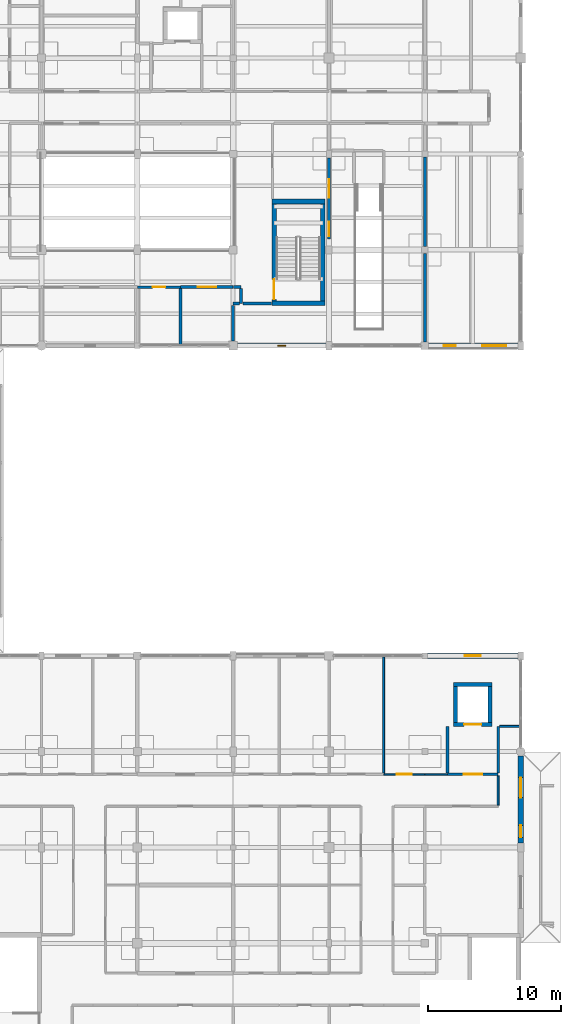
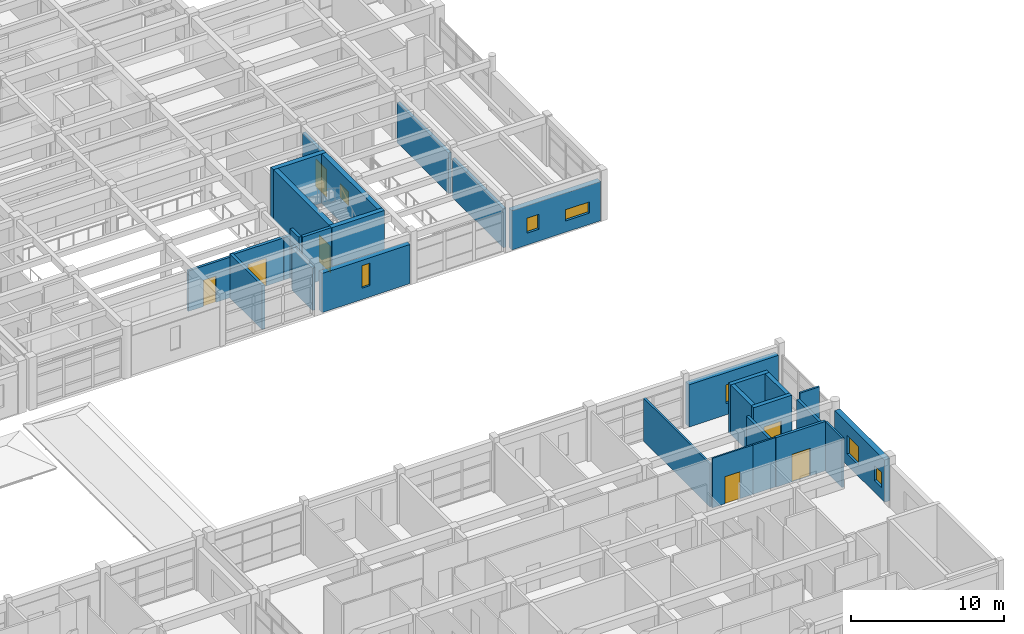
# One storey, part 94 of 110: 31 walls, 7 doors, 7 windows, 14 openings.
"""IFC4 building model written with IfcOpenShell, lengths in metres."""

import ifcopenshell
import ifcopenshell.guid

model = None  # the IFC model being written
_history = None  # IfcOwnerHistory: only IFC2X3 demands one
_inside = {}  # id of a spatial element -> (the spatial element, [elements in it])
_under = {}  # id of a project, library or spatial element -> (it, [spatial elements below it])
_declared = {}  # id of a project -> (the project, [libraries it declares])
_typed = {}  # id of a type object -> (the type object, [elements of that type])
_made_of = {}  # id of a material, layer set ... -> (it, [elements and type objects made of it])


def new_model(schema):
    """Start an empty IFC model of exactly this schema.

    Asked for "IFC4X3", IfcOpenShell would pick the latest addendum, in which some entities
    have other attributes; the version numbers below select the first issue.
    IFC2X3 requires an IfcOwnerHistory on every rooted entity: one is made here for all.
    """
    global model, _history
    if schema == "IFC4X3":
        model = ifcopenshell.file(schema_version=(4, 3, 0, 0))
    else:
        model = ifcopenshell.file(schema=schema)
    _inside.clear()
    _under.clear()
    _declared.clear()
    _typed.clear()
    _made_of.clear()
    _history = None
    if model.schema == "IFC2X3":
        org = make("IfcOrganization", Name="unknown")
        user = make(
            "IfcPersonAndOrganization",
            ThePerson=make("IfcPerson", FamilyName="unknown"),
            TheOrganization=org,
        )
        app = make(
            "IfcApplication",
            ApplicationDeveloper=org,
            Version="unknown",
            ApplicationFullName="unknown",
            ApplicationIdentifier="unknown",
        )
        _history = make(
            "IfcOwnerHistory",
            OwningUser=user,
            OwningApplication=app,
            ChangeAction="ADDED",
            CreationDate=0,
        )
    return model


def make(cls, **values):
    """One entity of the class cls with the attributes given. An attribute that is None is left unset."""
    return model.create_entity(
        cls, **{name: value for name, value in values.items() if value is not None}
    )


def rooted(cls, **values):
    """An entity with a GlobalId (a new one), such as an element, a storey or a relation."""
    return make(cls, GlobalId=ifcopenshell.guid.new(), OwnerHistory=_history, **values)


def si_unit(unit_type, name, prefix=None):
    """IfcSIUnit, for example si_unit("LENGTHUNIT", "METRE", prefix="MILLI")."""
    return make("IfcSIUnit", UnitType=unit_type, Prefix=prefix, Name=name)


def assignment(units):
    """IfcUnitAssignment: the units of a project."""
    return None if units is None else make("IfcUnitAssignment", Units=units)


def point(xyz):
    """IfcCartesianPoint."""
    return None if xyz is None else make("IfcCartesianPoint", Coordinates=xyz)


def direction(xyz):
    """IfcDirection."""
    return None if xyz is None else make("IfcDirection", DirectionRatios=xyz)


def frame(location, z_axis=None, x_axis=None):
    """IfcAxis2Placement3D, a coordinate frame: its origin and axes. An axis left out is left unset."""
    return make(
        "IfcAxis2Placement3D",
        Location=point(location),
        Axis=direction(z_axis),
        RefDirection=direction(x_axis),
    )


def frame_2d(location, x_axis=None):
    """IfcAxis2Placement2D, a coordinate frame in the plane: its origin and x axis."""
    return make(
        "IfcAxis2Placement2D", Location=point(location), RefDirection=direction(x_axis)
    )


def origin():
    """The frame at (0, 0, 0) with its axes left unset."""
    return frame((0.0, 0.0, 0.0))


def place(relative_to, where):
    """IfcLocalPlacement: puts the frame where relative to a parent placement (None: the world)."""
    return make(
        "IfcLocalPlacement", PlacementRelTo=relative_to, RelativePlacement=where
    )


def context(
    kind, dimensions, precision=None, world=None, true_north=None, identifier=None
):
    """IfcGeometricRepresentationContext, for example the 3D "Model" context."""
    return make(
        "IfcGeometricRepresentationContext",
        ContextIdentifier=identifier,
        ContextType=kind,
        CoordinateSpaceDimension=dimensions,
        Precision=precision,
        WorldCoordinateSystem=world,
        TrueNorth=true_north,
    )


def subcontext(parent, identifier, kind, view, scale=None):
    """IfcGeometricRepresentationSubContext, for example "Body" below "Model"."""
    return make(
        "IfcGeometricRepresentationSubContext",
        ContextIdentifier=identifier,
        ContextType=kind,
        ParentContext=parent,
        TargetScale=scale,
        TargetView=view,
    )


def project(units=None, contexts=None):
    """IfcProject with its units and contexts."""
    return rooted(
        "IfcProject",
        Name="project",
        RepresentationContexts=contexts,
        UnitsInContext=assignment(units),
    )


def spatial(cls, under=None, at=None, **own):
    """A site, building, storey or space (cls), placed at a placement, below another one or the project."""
    s = rooted(cls, ObjectPlacement=at, **own)
    if under is not None:
        _under.setdefault(under.id(), (under, []))[1].append(s)
    return s


def profile(cls, at=None, kind="AREA", **sizes):
    """A parametric profile (cls). Its sizes go by their IFC names, for example OverallWidth=200.0."""
    return make(cls, ProfileType=kind, Position=at, **sizes)


def rectangle(**sizes):
    """IfcRectangleProfileDef."""
    return profile("IfcRectangleProfileDef", **sizes)


def extrude(swept, where, along, depth):
    """IfcExtrudedAreaSolid: the profile swept, set in the frame where, extruded along a direction by depth."""
    return make(
        "IfcExtrudedAreaSolid",
        SweptArea=swept,
        Position=where,
        ExtrudedDirection=direction(along),
        Depth=depth,
    )


def shape(context_of_items, identifier, shape_type, items):
    """IfcShapeRepresentation: the items that make up one representation, for example the "Body"."""
    return make(
        "IfcShapeRepresentation",
        ContextOfItems=context_of_items,
        RepresentationIdentifier=identifier,
        RepresentationType=shape_type,
        Items=items,
    )


def material(Name=None, Category=None):
    """IfcMaterial."""
    return make("IfcMaterial", Name=Name, Category=Category)


def layer(
    of_material, thickness, ventilated=None, Name=None, Category=None, Priority=None
):
    """IfcMaterialLayer: one layer of a wall or slab, of a material (None: an air gap)."""
    return make(
        "IfcMaterialLayer",
        Material=of_material,
        LayerThickness=thickness,
        IsVentilated=ventilated,
        Name=Name,
        Category=Category,
        Priority=Priority,
    )


def layer_set(layers, Name=None):
    """IfcMaterialLayerSet."""
    return make("IfcMaterialLayerSet", MaterialLayers=layers, LayerSetName=Name)


def made_of(thing, what):
    """Note that an element or type object is made of a material, layer set ...; save() writes the relation."""
    if what is not None:
        _made_of.setdefault(what.id(), (what, []))[1].append(thing)
    return thing


def type_object(cls, material=None, **own):
    """A type object (cls), such as IfcWallType, which elements share."""
    return made_of(rooted(cls, **own), material)


def element(
    cls,
    number,
    at=None,
    inside=None,
    cuts=None,
    type_object=None,
    material=None,
    context=None,
    identifier="Body",
    shape_type=None,
    held_by="IfcProductDefinitionShape",
    body=None,
    shapes=None,
    **own,
):
    """One element of the class cls, such as IfcWall. Its Tag is "e" and its number.

    at: its placement. inside: the storey or other place that contains it. cuts: it is an
    opening in that element (IfcRelVoidsElement). A single representation is given by context,
    identifier, shape_type and body (its items); several are given by shapes. held_by: the class
    of the entity that holds the representations. save() writes the other relations.
    """
    e = rooted(cls, Tag="e%d" % number, ObjectPlacement=at, **own)
    if body is not None:
        shapes = [shape(context, identifier, shape_type, body)]
    if shapes is not None:
        e.Representation = make(held_by, Representations=shapes)
    if inside is not None:
        _inside.setdefault(inside.id(), (inside, []))[1].append(e)
    if cuts is not None:
        rooted(
            "IfcRelVoidsElement", RelatingBuildingElement=cuts, RelatedOpeningElement=e
        )
    if type_object is not None:
        _typed.setdefault(type_object.id(), (type_object, []))[1].append(e)
    return made_of(e, material)


def fill(opening, filler):
    """IfcRelFillsElement: the door or window that sits in an opening."""
    return rooted(
        "IfcRelFillsElement",
        RelatingOpeningElement=opening,
        RelatedBuildingElement=filler,
    )


def aggregate(whole, parts):
    """IfcRelAggregates: a whole, such as a stair, and the parts it consists of."""
    return rooted("IfcRelAggregates", RelatingObject=whole, RelatedObjects=parts)


def save(model, path):
    """Write the relations noted so far, then the file.

    IfcRelAggregates (storeys below a building ...), IfcRelContainedInSpatialStructure (elements
    in a storey), IfcRelDefinesByType, IfcRelAssociatesMaterial and IfcRelDeclares: one each for
    every whole, place, type object, material and project.
    """
    for whole, parts in _under.values():
        aggregate(whole, parts)
    for where, things in _inside.values():
        rooted(
            "IfcRelContainedInSpatialStructure",
            RelatedElements=things,
            RelatingStructure=where,
        )
    for kind, things in _typed.values():
        rooted("IfcRelDefinesByType", RelatedObjects=things, RelatingType=kind)
    for what, things in _made_of.values():
        rooted("IfcRelAssociatesMaterial", RelatedObjects=things, RelatingMaterial=what)
    for by, libraries in _declared.values():
        rooted("IfcRelDeclares", RelatingContext=by, RelatedDefinitions=libraries)
    model.write(path)


model = new_model("IFC4")

# Units and contexts
model_context = context("Model", 3, precision=1e-05, world=origin(), true_north=direction((0.0, 1.0)))
body_context = subcontext(model_context, "Body", "Model", "MODEL_VIEW")
ifc_project = project(units=[si_unit("LENGTHUNIT", "METRE"), si_unit("AREAUNIT", "SQUARE_METRE"), si_unit("VOLUMEUNIT", "CUBIC_METRE"), si_unit("PLANEANGLEUNIT", "RADIAN"), si_unit("MASSUNIT", "GRAM", prefix="KILO")], contexts=[model_context])

# Site, building, storey
site_placement = place(None, origin())
site = spatial("IfcSite", under=ifc_project, at=site_placement, CompositionType="ELEMENT")
building_placement = place(site_placement, origin())
building = spatial("IfcBuilding", under=site, at=building_placement, Name="Steenspoor Specialist Clinic", CompositionType="ELEMENT")
storey_placement = place(building_placement, frame((0.0, 0.0, 4.800048828125)))
storey = spatial("IfcBuildingStorey", under=building, at=storey_placement, Name="L01", CompositionType="ELEMENT", Elevation=4.800048828125)

# Wall, opening, window
ifc_material_1 = material(Name="Extruded clay brick masonry", Category="masonry")
ifc_layer_1 = layer(ifc_material_1, 0.3798828125)
ifc_layer_set_1 = layer_set([ifc_layer_1], Name="Extruded clay brick masonry")
wall_type_1 = type_object("IfcWallType", Name="W-BRICK-380", PredefinedType="USERDEFINED", material=ifc_layer_set_1)
wall_1_placement = place(storey_placement, frame((146.574951171875, 65.14990234375, 0.0), z_axis=(0.0, 0.0, 1.0), x_axis=(-1.0, 0.0, 0.0)))
wall_1 = element("IfcWall", 1, at=wall_1_placement, inside=storey, type_object=wall_type_1, Name="Exterior Brick Wall EW-V6-L01-0313", ObjectType="CAVITY VENEER", PredefinedType="USERDEFINED", context=body_context, shape_type="SweptSolid", body=[
    extrude(rectangle(XDim=6.64990234375, YDim=0.3798828125, at=frame_2d((3.324951171875, 0.0))), origin(), (0.0, 0.0, 1.0), 3.1298828125),
])
opening_1_placement = place(wall_1_placement, frame((3.02490234375, 0.0, 0.89990234375)))
opening_1 = element("IfcOpeningElement", 2, at=opening_1_placement, cuts=wall_1, Name="Opening WN-01", PredefinedType="OPENING", context=body_context, shape_type="SweptSolid", body=[
    extrude(rectangle(XDim=0.60009765625, YDim=1.800048828125, at=frame_2d((0.300048828125, 0.89990234375))), frame((0.0, 0.199951171875, 0.0), z_axis=(0.0, -1.0, 0.0), x_axis=(1.0, 0.0, 0.0)), (0.0, 0.0, 1.0), 0.39990234375),
])
ifc_material_2 = material(Name="Thermally broken aluminium and low-emissivity glass", Category="aluminium")
window_type_1 = type_object("IfcWindowType", Name="WN-EXT-060X180", PartitioningType="SINGLE_PANEL", PredefinedType="WINDOW", material=ifc_material_2)
window_1_placement = place(opening_1_placement, origin())
window_1 = element("IfcWindow", 3, at=window_1_placement, inside=storey, type_object=window_type_1, Name="Window 0336", OverallHeight=1.800048828125, OverallWidth=0.60009765625, PartitioningType="SINGLE_PANEL", PredefinedType="WINDOW", context=body_context, shape_type="SweptSolid", body=[
    extrude(rectangle(XDim=0.60009765625, YDim=1.800048828125, at=frame_2d((0.300048828125, 0.89990234375))), frame((0.0, 0.030029296875, 0.0), z_axis=(0.0, -1.0, 0.0), x_axis=(1.0, 0.0, 0.0)), (0.0, 0.0, 1.0), 0.06005859375),
])
fill(opening_1, window_1)

# Wall, openings, windows
ifc_layer_2 = layer(ifc_material_1, 0.409912109375)
ifc_layer_set_2 = layer_set([ifc_layer_2], Name="Extruded clay brick masonry")
wall_type_2 = type_object("IfcWallType", Name="W-BRICK-410", PredefinedType="USERDEFINED", material=ifc_layer_set_2)
wall_2_placement = place(storey_placement, frame((161.199951171875, 34.324951171875, 0.0), z_axis=(0.0, 0.0, 1.0), x_axis=(0.0, -1.0, 0.0)))
wall_2 = element("IfcWall", 4, at=wall_2_placement, inside=storey, type_object=wall_type_2, Name="Exterior Brick Wall EW-V2-L01-0068", ObjectType="CAVITY VENEER", PredefinedType="USERDEFINED", context=body_context, shape_type="SweptSolid", body=[
    extrude(rectangle(XDim=6.52490234375, YDim=0.409912109375, at=frame_2d((3.262451171875, 0.0))), origin(), (0.0, 0.0, 1.0), 3.3798828125),
])
opening_2_placement = place(wall_2_placement, frame((1.62255859375, 0.0, 0.89990234375)))
opening_2 = element("IfcOpeningElement", 5, at=opening_2_placement, cuts=wall_2, Name="Opening WN-12", PredefinedType="OPENING", context=body_context, shape_type="SweptSolid", body=[
    extrude(rectangle(XDim=1.5, YDim=1.5, at=frame_2d((0.75, 0.75))), frame((0.0, 0.21484375, 0.0), z_axis=(0.0, -1.0, 0.0), x_axis=(1.0, 0.0, 0.0)), (0.0, 0.0, 1.0), 0.429931640625),
])
opening_3_placement = place(wall_2_placement, frame((5.205078125, 0.0, 0.949951171875)))
opening_3 = element("IfcOpeningElement", 6, at=opening_3_placement, cuts=wall_2, Name="Opening WN-21", PredefinedType="OPENING", context=body_context, shape_type="SweptSolid", body=[
    extrude(rectangle(XDim=0.89990234375, YDim=1.199951171875, at=frame_2d((0.449951171875, 0.60009765625))), frame((0.0, 0.21484375, 0.0), z_axis=(0.0, -1.0, 0.0), x_axis=(1.0, 0.0, 0.0)), (0.0, 0.0, 1.0), 0.429931640625),
])
window_type_2 = type_object("IfcWindowType", Name="WN-EXT-090X120", PartitioningType="SINGLE_PANEL", PredefinedType="WINDOW", material=ifc_material_2)
window_2_placement = place(opening_3_placement, origin())
window_2 = element("IfcWindow", 7, at=window_2_placement, inside=storey, type_object=window_type_2, Name="Window 0084", OverallHeight=1.199951171875, OverallWidth=0.89990234375, PartitioningType="SINGLE_PANEL", PredefinedType="WINDOW", context=body_context, shape_type="SweptSolid", body=[
    extrude(rectangle(XDim=0.89990234375, YDim=1.199951171875, at=frame_2d((0.449951171875, 0.60009765625))), frame((0.0, 0.030029296875, 0.0), z_axis=(0.0, -1.0, 0.0), x_axis=(1.0, 0.0, 0.0)), (0.0, 0.0, 1.0), 0.06005859375),
])
fill(opening_3, window_2)
window_type_3 = type_object("IfcWindowType", Name="WN-EXT-150X150", PartitioningType="SINGLE_PANEL", PredefinedType="WINDOW", material=ifc_material_2)
window_3_placement = place(opening_2_placement, origin())
window_3 = element("IfcWindow", 8, at=window_3_placement, inside=storey, type_object=window_type_3, Name="Window 0083", OverallHeight=1.5, OverallWidth=1.5, PartitioningType="SINGLE_PANEL", PredefinedType="WINDOW", context=body_context, shape_type="SweptSolid", body=[
    extrude(rectangle(XDim=1.5, YDim=1.5, at=frame_2d((0.75, 0.75))), frame((0.0, 0.030029296875, 0.0), z_axis=(0.0, -1.0, 0.0), x_axis=(1.0, 0.0, 0.0)), (0.0, 0.0, 1.0), 0.06005859375),
])
fill(opening_2, window_3)

wall_3_placement = place(storey_placement, frame((160.97509765625, 65.14990234375, 0.0), z_axis=(0.0, 0.0, 1.0), x_axis=(-1.0, 0.0, 0.0)))
wall_3 = element("IfcWall", 9, at=wall_3_placement, inside=storey, type_object=wall_type_2, Name="Exterior Brick Wall EW-V6-L01-0312", ObjectType="CAVITY VENEER", PredefinedType="USERDEFINED", context=body_context, shape_type="SweptSolid", body=[
    extrude(rectangle(XDim=6.7001953125, YDim=0.409912109375, at=frame_2d((3.35009765625, 0.0))), origin(), (0.0, 0.0, 1.0), 3.1298828125),
])
opening_4_placement = place(wall_3_placement, frame((0.8525390625, 0.0, 0.89990234375)))
opening_4 = element("IfcOpeningElement", 10, at=opening_4_placement, cuts=wall_3, Name="Opening WN-22", PredefinedType="OPENING", context=body_context, shape_type="SweptSolid", body=[
    extrude(rectangle(XDim=1.800048828125, YDim=0.89990234375, at=frame_2d((0.89990234375, 0.449951171875))), frame((0.0, 0.21484375, 0.0), z_axis=(0.0, -1.0, 0.0), x_axis=(1.0, 0.0, 0.0)), (0.0, 0.0, 1.0), 0.429931640625),
])
opening_5_placement = place(wall_3_placement, frame((4.672607421875, 0.0, 0.949951171875)))
opening_5 = element("IfcOpeningElement", 11, at=opening_5_placement, cuts=wall_3, Name="Opening WN-21", PredefinedType="OPENING", context=body_context, shape_type="SweptSolid", body=[
    extrude(rectangle(XDim=0.89990234375, YDim=1.199951171875, at=frame_2d((0.449951171875, 0.60009765625))), frame((0.0, 0.21484375, 0.0), z_axis=(0.0, -1.0, 0.0), x_axis=(1.0, 0.0, 0.0)), (0.0, 0.0, 1.0), 0.429931640625),
])
window_4_placement = place(opening_5_placement, origin())
window_4 = element("IfcWindow", 12, at=window_4_placement, inside=storey, type_object=window_type_2, Name="Window 0335", OverallHeight=1.199951171875, OverallWidth=0.89990234375, PartitioningType="SINGLE_PANEL", PredefinedType="WINDOW", context=body_context, shape_type="SweptSolid", body=[
    extrude(rectangle(XDim=0.89990234375, YDim=1.199951171875, at=frame_2d((0.449951171875, 0.60009765625))), frame((0.0, 0.030029296875, 0.0), z_axis=(0.0, -1.0, 0.0), x_axis=(1.0, 0.0, 0.0)), (0.0, 0.0, 1.0), 0.06005859375),
])
fill(opening_5, window_4)
window_type_4 = type_object("IfcWindowType", Name="WN-EXT-180X090", PartitioningType="SINGLE_PANEL", PredefinedType="WINDOW", material=ifc_material_2)
window_5_placement = place(opening_4_placement, origin())
window_5 = element("IfcWindow", 13, at=window_5_placement, inside=storey, type_object=window_type_4, Name="Window 0334", OverallHeight=0.89990234375, OverallWidth=1.800048828125, PartitioningType="SINGLE_PANEL", PredefinedType="WINDOW", context=body_context, shape_type="SweptSolid", body=[
    extrude(rectangle(XDim=1.800048828125, YDim=0.89990234375, at=frame_2d((0.89990234375, 0.449951171875))), frame((0.0, 0.030029296875, 0.0), z_axis=(0.0, -1.0, 0.0), x_axis=(1.0, 0.0, 0.0)), (0.0, 0.0, 1.0), 0.06005859375),
])
fill(opening_4, window_5)

# Wall, opening, window
ifc_layer_3 = layer(ifc_material_1, 0.43994140625)
ifc_layer_set_3 = layer_set([ifc_layer_3], Name="Extruded clay brick masonry")
wall_type_3 = type_object("IfcWallType", Name="W-BRICK-440", PredefinedType="USERDEFINED", material=ifc_layer_set_3)
wall_4_placement = place(storey_placement, frame((154.199951171875, 41.85009765625, 0.0), z_axis=(0.0, 0.0, 1.0), x_axis=(1.0, 0.0, 0.0)))
wall_4 = element("IfcWall", 14, at=wall_4_placement, inside=storey, type_object=wall_type_3, Name="Exterior Brick Wall EW-V2-L01-0067", ObjectType="CAVITY VENEER", PredefinedType="USERDEFINED", context=body_context, shape_type="SweptSolid", body=[
    extrude(rectangle(XDim=6.775146484375, YDim=0.43994140625, at=frame_2d((3.3876953125, 0.0))), origin(), (0.0, 0.0, 1.0), 3.3798828125),
])
opening_6_placement = place(wall_4_placement, frame((2.78759765625, 0.0, 0.89990234375)))
opening_6 = element("IfcOpeningElement", 15, at=opening_6_placement, cuts=wall_4, Name="Opening WN-11", PredefinedType="OPENING", context=body_context, shape_type="SweptSolid", body=[
    extrude(rectangle(XDim=1.199951171875, YDim=1.5, at=frame_2d((0.60009765625, 0.75))), frame((0.0, 0.22998046875, 0.0), z_axis=(0.0, -1.0, 0.0), x_axis=(1.0, 0.0, 0.0)), (0.0, 0.0, 1.0), 0.4599609375),
])
window_type_5 = type_object("IfcWindowType", Name="WN-EXT-120X150", PartitioningType="SINGLE_PANEL", PredefinedType="WINDOW", material=ifc_material_2)
window_6_placement = place(opening_6_placement, origin())
window_6 = element("IfcWindow", 16, at=window_6_placement, inside=storey, type_object=window_type_5, Name="Window 0082", OverallHeight=1.5, OverallWidth=1.199951171875, PartitioningType="SINGLE_PANEL", PredefinedType="WINDOW", context=body_context, shape_type="SweptSolid", body=[
    extrude(rectangle(XDim=1.199951171875, YDim=1.5, at=frame_2d((0.60009765625, 0.75))), frame((0.0, 0.030029296875, 0.0), z_axis=(0.0, -1.0, 0.0), x_axis=(1.0, 0.0, 0.0)), (0.0, 0.0, 1.0), 0.06005859375),
])
fill(opening_6, window_6)

# Walls
ifc_material_3 = material(Name="Gypsum acoustic clinical partition", Category="gypsum")
ifc_layer_4 = layer(ifc_material_3, 0.14990234375)
ifc_layer_set_4 = layer_set([ifc_layer_4], Name="Gypsum acoustic clinical partition")
wall_type_4 = type_object("IfcWallType", Name="W-CLIN-150", PredefinedType="PARTITIONING", material=ifc_layer_set_4)
wall_5_placement = place(storey_placement, frame((159.5, 30.639892578125, 0.0), z_axis=(0.0, 0.0, 1.0), x_axis=(0.0, 1.0, 0.0)))
element("IfcWall", 17, at=wall_5_placement, inside=storey, type_object=wall_type_4, Name="Interior Partition IW-V2-L01-0874", PredefinedType="PARTITIONING", context=body_context, shape_type="SweptSolid", body=[
    extrude(rectangle(XDim=2.195068359375, YDim=0.14990234375, at=frame_2d((1.09765625, 0.0))), origin(), (0.0, 0.0, 1.0), 3.949951171875),
])
wall_6_placement = place(storey_placement, frame((159.614990234375, 36.550048828125, 0.0), z_axis=(0.0, 0.0, 1.0), x_axis=(1.0, 0.0, 0.0)))
element("IfcWall", 18, at=wall_6_placement, inside=storey, type_object=wall_type_4, Name="Interior Partition IW-V2-L01-1170", PredefinedType="PARTITIONING", context=body_context, shape_type="SweptSolid", body=[
    extrude(rectangle(XDim=1.47998046875, YDim=0.14990234375, at=frame_2d((0.739990234375, 0.0))), origin(), (0.0, 0.0, 1.0), 3.949951171875),
])
wall_7_placement = place(storey_placement, frame((150.89990234375, 33.0400390625, 0.0), z_axis=(0.0, 0.0, 1.0), x_axis=(0.0, 1.0, 0.0)))
element("IfcWall", 19, at=wall_7_placement, inside=storey, type_object=wall_type_4, Name="Interior Partition IW-V2-L01-1179", PredefinedType="PARTITIONING", context=body_context, shape_type="SweptSolid", body=[
    extrude(rectangle(XDim=8.705078125, YDim=0.14990234375, at=frame_2d((4.3525390625, 0.0))), origin(), (0.0, 0.0, 1.0), 3.43994140625),
])

# Wall, opening, door
ifc_material_4 = material(Name="Fire-rated clay blockwork masonry", Category="masonry")
ifc_layer_5 = layer(ifc_material_4, 0.219970703125)
ifc_layer_set_5 = layer_set([ifc_layer_5], Name="Fire-rated clay blockwork masonry")
wall_type_5 = type_object("IfcWallType", Name="W-FIRE-220", PredefinedType="PARTITIONING", material=ifc_layer_set_5)
wall_8_placement = place(storey_placement, frame((135.64990234375, 69.550048828125, 0.0), z_axis=(0.0, 0.0, 1.0), x_axis=(1.0, 0.0, 0.0)))
wall_8 = element("IfcWall", 20, at=wall_8_placement, inside=storey, type_object=wall_type_5, Name="Interior Partition IW-V6-L01-0701", PredefinedType="PARTITIONING", context=body_context, shape_type="SweptSolid", body=[
    extrude(rectangle(XDim=3.9501953125, YDim=0.219970703125, at=frame_2d((1.97509765625, 0.0))), origin(), (0.0, 0.0, 1.0), 3.385009765625),
])
opening_7_placement = place(wall_8_placement, frame((1.27490234375, 0.0, 0.0)))
opening_7 = element("IfcOpeningElement", 21, at=opening_7_placement, cuts=wall_8, Name="Opening D0431", PredefinedType="OPENING", context=body_context, shape_type="SweptSolid", body=[
    extrude(rectangle(XDim=1.39990234375, YDim=2.199951171875, at=frame_2d((0.699951171875, 1.10009765625))), frame((0.0, 0.1201171875, 0.0), z_axis=(0.0, -1.0, 0.0), x_axis=(1.0, 0.0, 0.0)), (0.0, 0.0, 1.0), 0.239990234375),
])
ifc_material_5 = material(Name="Fire-rated clinical laminate door", Category="steel")
door_type_1 = type_object("IfcDoorType", Name="DT-LAB-140X220", OperationType="NOTDEFINED", PredefinedType="DOOR", material=ifc_material_5)
door_1_placement = place(opening_7_placement, origin())
door_1 = element("IfcDoor", 22, at=door_1_placement, inside=storey, type_object=door_type_1, Name="Clinical Door D0431", OperationType="SINGLE_SWING_RIGHT", OverallHeight=2.199951171875, OverallWidth=1.39990234375, PredefinedType="DOOR", context=body_context, shape_type="SweptSolid", body=[
    extrude(rectangle(XDim=1.39990234375, YDim=2.199951171875, at=frame_2d((0.699951171875, 1.10009765625))), frame((0.0, 0.02490234375, 0.0), z_axis=(0.0, -1.0, 0.0), x_axis=(1.0, 0.0, 0.0)), (0.0, 0.0, 1.0), 0.050048828125),
])
fill(opening_7, door_1)

# Walls
wall_9_placement = place(storey_placement, frame((139.614990234375, 69.550048828125, 0.0), z_axis=(0.0, 0.0, 1.0), x_axis=(1.0, 0.0, 0.0)))
element("IfcWall", 23, at=wall_9_placement, inside=storey, type_object=wall_type_5, Name="Interior Partition IW-V6-L01-0702", PredefinedType="PARTITIONING", context=body_context, shape_type="SweptSolid", body=[
    extrude(rectangle(XDim=0.5849609375, YDim=0.219970703125, at=frame_2d((0.29248046875, 0.0))), origin(), (0.0, 0.0, 1.0), 3.385009765625),
])
wall_10_placement = place(storey_placement, frame((140.199951171875, 68.300048828125, 0.0), z_axis=(0.0, 0.0, 1.0), x_axis=(0.0, 1.0, 0.0)))
element("IfcWall", 24, at=wall_10_placement, inside=storey, type_object=wall_type_5, Name="Interior Partition IW-V6-L01-0703", PredefinedType="PARTITIONING", context=body_context, shape_type="SweptSolid", body=[
    extrude(rectangle(XDim=1.125, YDim=0.219970703125, at=frame_2d((0.5625, 0.0))), origin(), (0.0, 0.0, 1.0), 3.949951171875),
])
wall_11_placement = place(storey_placement, frame((139.60009765625, 68.300048828125, 0.0), z_axis=(0.0, 0.0, 1.0), x_axis=(1.0, 0.0, 0.0)))
element("IfcWall", 25, at=wall_11_placement, inside=storey, type_object=wall_type_5, Name="Interior Partition IW-V6-L01-0704", PredefinedType="PARTITIONING", context=body_context, shape_type="SweptSolid", body=[
    extrude(rectangle(XDim=0.474853515625, YDim=0.219970703125, at=frame_2d((0.2373046875, 0.0))), origin(), (0.0, 0.0, 1.0), 3.385009765625),
])
wall_12_placement = place(storey_placement, frame((140.324951171875, 68.300048828125, 0.0), z_axis=(0.0, 0.0, 1.0), x_axis=(1.0, 0.0, 0.0)))
element("IfcWall", 26, at=wall_12_placement, inside=storey, type_object=wall_type_5, Name="Interior Partition IW-V6-L01-0705", PredefinedType="PARTITIONING", context=body_context, shape_type="SweptSolid", body=[
    extrude(rectangle(XDim=2.16015625, YDim=0.219970703125, at=frame_2d((1.080078125, 0.0))), origin(), (0.0, 0.0, 1.0), 3.949951171875),
])
wall_13_placement = place(storey_placement, frame((135.64990234375, 65.2548828125, 0.0), z_axis=(0.0, 0.0, 1.0), x_axis=(0.0, 1.0, 0.0)))
element("IfcWall", 27, at=wall_13_placement, inside=storey, type_object=wall_type_5, Name="Interior Partition IW-V6-L01-1041", PredefinedType="PARTITIONING", context=body_context, shape_type="SweptSolid", body=[
    extrude(rectangle(XDim=4.170166015625, YDim=0.219970703125, at=frame_2d((2.0849609375, 0.0))), origin(), (0.0, 0.0, 1.0), 3.514892578125),
])
wall_14_placement = place(storey_placement, frame((139.60009765625, 65.489990234375, 0.0), z_axis=(0.0, 0.0, 1.0), x_axis=(0.0, 1.0, 0.0)))
element("IfcWall", 28, at=wall_14_placement, inside=storey, type_object=wall_type_5, Name="Interior Partition IW-V6-L01-1042", PredefinedType="PARTITIONING", context=body_context, shape_type="SweptSolid", body=[
    extrude(rectangle(XDim=2.68505859375, YDim=0.219970703125, at=frame_2d((1.342529296875, 0.0))), origin(), (0.0, 0.0, 1.0), 3.385009765625),
])

# Wall, openings, door, window
wall_15_placement = place(storey_placement, frame((146.800048828125, 73.169921875, 0.0), z_axis=(0.0, 0.0, 1.0), x_axis=(0.0, 1.0, 0.0)))
wall_15 = element("IfcWall", 29, at=wall_15_placement, inside=storey, type_object=wall_type_5, Name="Interior Partition IW-V6-L01-1043", PredefinedType="PARTITIONING", context=body_context, shape_type="SweptSolid", body=[
    extrude(rectangle(XDim=6.090087890625, YDim=0.219970703125, at=frame_2d((3.044921875, 0.0))), origin(), (0.0, 0.0, 1.0), 3.35498046875),
])
opening_8_placement = place(wall_15_placement, frame((3.095458984375, 0.0, 0.0)))
opening_8 = element("IfcOpeningElement", 30, at=opening_8_placement, cuts=wall_15, Name="Opening D0432", PredefinedType="OPENING", context=body_context, shape_type="SweptSolid", body=[
    extrude(rectangle(XDim=1.39990234375, YDim=2.199951171875, at=frame_2d((0.699951171875, 1.10009765625))), frame((0.0, 0.1201171875, 0.0), z_axis=(0.0, -1.0, 0.0), x_axis=(1.0, 0.0, 0.0)), (0.0, 0.0, 1.0), 0.239990234375),
])
opening_9_placement = place(wall_15_placement, frame((0.199951171875, 0.0, 1.050048828125)))
opening_9 = element("IfcOpeningElement", 31, at=opening_9_placement, cuts=wall_15, Name="Opening IWN-02", PredefinedType="OPENING", context=body_context, shape_type="SweptSolid", body=[
    extrude(rectangle(XDim=1.10009765625, YDim=1.10009765625, at=frame_2d((0.550048828125, 0.550048828125))), frame((0.0, 0.1201171875, 0.0), z_axis=(0.0, -1.0, 0.0), x_axis=(1.0, 0.0, 0.0)), (0.0, 0.0, 1.0), 0.239990234375),
])
door_2_placement = place(opening_8_placement, origin())
door_2 = element("IfcDoor", 32, at=door_2_placement, inside=storey, type_object=door_type_1, Name="Clinical Door D0432", OperationType="SINGLE_SWING_LEFT", OverallHeight=2.199951171875, OverallWidth=1.39990234375, PredefinedType="DOOR", context=body_context, shape_type="SweptSolid", body=[
    extrude(rectangle(XDim=1.39990234375, YDim=2.199951171875, at=frame_2d((0.699951171875, 1.10009765625))), frame((0.0, 0.02490234375, 0.0), z_axis=(0.0, -1.0, 0.0), x_axis=(1.0, 0.0, 0.0)), (0.0, 0.0, 1.0), 0.050048828125),
])
fill(opening_8, door_2)
window_type_6 = type_object("IfcWindowType", Name="IWND-OBS-110X110", PartitioningType="SINGLE_PANEL", PredefinedType="WINDOW", material=ifc_material_2)
window_7_placement = place(opening_9_placement, origin())
window_7 = element("IfcWindow", 33, at=window_7_placement, inside=storey, type_object=window_type_6, Name="Observation Window 012", OverallHeight=1.10009765625, OverallWidth=1.10009765625, PartitioningType="SINGLE_PANEL", PredefinedType="WINDOW", context=body_context, shape_type="SweptSolid", body=[
    extrude(rectangle(XDim=1.10009765625, YDim=1.10009765625, at=frame_2d((0.550048828125, 0.550048828125))), frame((0.0, 0.030029296875, 0.0), z_axis=(0.0, -1.0, 0.0), x_axis=(1.0, 0.0, 0.0)), (0.0, 0.0, 1.0), 0.06005859375),
])
fill(opening_9, window_7)

# Walls
wall_16_placement = place(storey_placement, frame((154.0, 65.43994140625, 0.0), z_axis=(0.0, 0.0, 1.0), x_axis=(0.0, 1.0, 0.0)))
element("IfcWall", 34, at=wall_16_placement, inside=storey, type_object=wall_type_5, Name="Interior Partition IW-V6-L01-1047", PredefinedType="PARTITIONING", context=body_context, shape_type="SweptSolid", body=[
    extrude(rectangle(XDim=6.64501953125, YDim=0.219970703125, at=frame_2d((3.322509765625, 0.0))), origin(), (0.0, 0.0, 1.0), 3.135009765625),
])
wall_17_placement = place(storey_placement, frame((154.0, 72.614990234375, 0.0), z_axis=(0.0, 0.0, 1.0), x_axis=(0.0, 1.0, 0.0)))
element("IfcWall", 35, at=wall_17_placement, inside=storey, type_object=wall_type_5, Name="Interior Partition IW-V6-L01-1048", PredefinedType="PARTITIONING", context=body_context, shape_type="SweptSolid", body=[
    extrude(rectangle(XDim=6.695068359375, YDim=0.219970703125, at=frame_2d((3.34765625, 0.0))), origin(), (0.0, 0.0, 1.0), 3.23486328125),
])
ifc_material_6 = material(Name="Gypsum studio partition board", Category="gypsum")
ifc_layer_6 = layer(ifc_material_6, 0.1201171875)
ifc_layer_set_6 = layer_set([ifc_layer_6], Name="Gypsum studio partition board")
wall_type_6 = type_object("IfcWallType", Name="W-PART-120", PredefinedType="PARTITIONING", material=ifc_layer_set_6)
wall_18_placement = place(storey_placement, frame((154.0, 32.949951171875, 0.0), z_axis=(0.0, 0.0, 1.0), x_axis=(1.0, 0.0, 0.0)))
element("IfcWall", 36, at=wall_18_placement, inside=storey, type_object=wall_type_6, Name="Interior Partition IW-V2-L01-0973", PredefinedType="PARTITIONING", context=body_context, shape_type="SweptSolid", body=[
    extrude(rectangle(XDim=1.68505859375, YDim=0.1201171875, at=frame_2d((0.842529296875, 0.0))), origin(), (0.0, 0.0, 1.0), 3.949951171875),
])

# Wall, opening, door
wall_19_placement = place(storey_placement, frame((150.9150390625, 32.949951171875, 0.0), z_axis=(0.0, 0.0, 1.0), x_axis=(1.0, 0.0, 0.0)))
wall_19 = element("IfcWall", 37, at=wall_19_placement, inside=storey, type_object=wall_type_6, Name="Interior Partition IW-V2-L01-0974", PredefinedType="PARTITIONING", context=body_context, shape_type="SweptSolid", body=[
    extrude(rectangle(XDim=3.070068359375, YDim=0.1201171875, at=frame_2d((1.53515625, 0.0))), origin(), (0.0, 0.0, 1.0), 3.949951171875),
])
opening_10_placement = place(wall_19_placement, frame((0.9599609375, 0.0, 0.0)))
opening_10 = element("IfcOpeningElement", 38, at=opening_10_placement, cuts=wall_19, Name="Opening D0129", PredefinedType="OPENING", context=body_context, shape_type="SweptSolid", body=[
    extrude(rectangle(XDim=1.14990234375, YDim=2.14990234375, at=frame_2d((0.574951171875, 1.074951171875))), frame((0.0, 0.070068359375, 0.0), z_axis=(0.0, -1.0, 0.0), x_axis=(1.0, 0.0, 0.0)), (0.0, 0.0, 1.0), 0.14013671875),
])
ifc_material_7 = material(Name="Solid-core hardwood clinical door", Category="wood")
door_type_2 = type_object("IfcDoorType", Name="DT-CONS-115X215", OperationType="NOTDEFINED", PredefinedType="DOOR", material=ifc_material_7)
door_3_placement = place(opening_10_placement, origin())
door_3 = element("IfcDoor", 39, at=door_3_placement, inside=storey, type_object=door_type_2, Name="Clinical Door D0129", OperationType="SINGLE_SWING_RIGHT", OverallHeight=2.14990234375, OverallWidth=1.14990234375, PredefinedType="DOOR", context=body_context, shape_type="SweptSolid", body=[
    extrude(rectangle(XDim=1.14990234375, YDim=2.14990234375, at=frame_2d((0.574951171875, 1.074951171875))), frame((0.0, 0.02490234375, 0.0), z_axis=(0.0, -1.0, 0.0), x_axis=(1.0, 0.0, 0.0)), (0.0, 0.0, 1.0), 0.050048828125),
])
fill(opening_10, door_3)

ifc_material_8 = material(Name="Moisture-resistant gypsum plumbing wall", Category="gypsum")
ifc_layer_7 = layer(ifc_material_8, 0.179931640625)
ifc_layer_set_7 = layer_set([ifc_layer_7], Name="Moisture-resistant gypsum plumbing wall")
wall_type_7 = type_object("IfcWallType", Name="W-PLUMB-180", PredefinedType="PLUMBINGWALL", material=ifc_layer_set_7)
wall_20_placement = place(storey_placement, frame((132.4150390625, 69.550048828125, 0.0), z_axis=(0.0, 0.0, 1.0), x_axis=(1.0, 0.0, 0.0)))
wall_20 = element("IfcWall", 40, at=wall_20_placement, inside=storey, type_object=wall_type_7, Name="Interior Partition IW-V6-L01-0785", PredefinedType="PLUMBINGWALL", context=body_context, shape_type="SweptSolid", body=[
    extrude(rectangle(XDim=3.219970703125, YDim=0.179931640625, at=frame_2d((1.60986328125, 0.0))), origin(), (0.0, 0.0, 1.0), 3.23486328125),
])
opening_11_placement = place(wall_20_placement, frame((1.135009765625, 0.0, 0.0)))
opening_11 = element("IfcOpeningElement", 41, at=opening_11_placement, cuts=wall_20, Name="Opening D0430", PredefinedType="OPENING", context=body_context, shape_type="SweptSolid", body=[
    extrude(rectangle(XDim=0.949951171875, YDim=2.10009765625, at=frame_2d((0.47509765625, 1.050048828125))), frame((0.0, 0.10009765625, 0.0), z_axis=(0.0, -1.0, 0.0), x_axis=(1.0, 0.0, 0.0)), (0.0, 0.0, 1.0), 0.199951171875),
])
ifc_material_9 = material(Name="Moisture-resistant HPL sanitary door", Category="wood")
door_type_3 = type_object("IfcDoorType", Name="DT-WC-095X210", OperationType="NOTDEFINED", PredefinedType="DOOR", material=ifc_material_9)
door_4_placement = place(opening_11_placement, origin())
door_4 = element("IfcDoor", 42, at=door_4_placement, inside=storey, type_object=door_type_3, Name="Clinical Door D0430", OperationType="SINGLE_SWING_LEFT", OverallHeight=2.10009765625, OverallWidth=0.949951171875, PredefinedType="DOOR", context=body_context, shape_type="SweptSolid", body=[
    extrude(rectangle(XDim=0.949951171875, YDim=2.10009765625, at=frame_2d((0.47509765625, 1.050048828125))), frame((0.0, 0.02490234375, 0.0), z_axis=(0.0, -1.0, 0.0), x_axis=(1.0, 0.0, 0.0)), (0.0, 0.0, 1.0), 0.050048828125),
])
fill(opening_11, door_4)

ifc_material_10 = material(Name="Gypsum acoustic smoke barrier board", Category="gypsum")
ifc_layer_8 = layer(ifc_material_10, 0.199951171875)
ifc_layer_set_8 = layer_set([ifc_layer_8], Name="Gypsum acoustic smoke barrier board")
wall_type_8 = type_object("IfcWallType", Name="W-SMOKE-200", PredefinedType="PARTITIONING", material=ifc_layer_set_8)
wall_21_placement = place(storey_placement, frame((155.699951171875, 32.949951171875, 0.0), z_axis=(0.0, 0.0, 1.0), x_axis=(1.0, 0.0, 0.0)))
wall_21 = element("IfcWall", 43, at=wall_21_placement, inside=storey, type_object=wall_type_8, Name="Interior Partition IW-V2-L01-0672", PredefinedType="PARTITIONING", context=body_context, shape_type="SweptSolid", body=[
    extrude(rectangle(XDim=3.800048828125, YDim=0.199951171875, at=frame_2d((1.89990234375, 0.0))), origin(), (0.0, 0.0, 1.0), 3.949951171875),
])
opening_12_placement = place(wall_21_placement, frame((1.199951171875, 0.0, 0.0)))
opening_12 = element("IfcOpeningElement", 44, at=opening_12_placement, cuts=wall_21, Name="Opening D0104", PredefinedType="OPENING", context=body_context, shape_type="SweptSolid", body=[
    extrude(rectangle(XDim=1.39990234375, YDim=2.199951171875, at=frame_2d((0.699951171875, 1.10009765625))), frame((0.0, 0.10986328125, 0.0), z_axis=(0.0, -1.0, 0.0), x_axis=(1.0, 0.0, 0.0)), (0.0, 0.0, 1.0), 0.219970703125),
])
door_5_placement = place(opening_12_placement, origin())
door_5 = element("IfcDoor", 45, at=door_5_placement, inside=storey, type_object=door_type_1, Name="Lift Lobby Fire Door D0104", OperationType="SINGLE_SWING_LEFT", OverallHeight=2.199951171875, OverallWidth=1.39990234375, PredefinedType="DOOR", context=body_context, shape_type="SweptSolid", body=[
    extrude(rectangle(XDim=1.39990234375, YDim=2.199951171875, at=frame_2d((0.699951171875, 1.10009765625))), frame((0.0, 0.02490234375, 0.0), z_axis=(0.0, -1.0, 0.0), x_axis=(1.0, 0.0, 0.0)), (0.0, 0.0, 1.0), 0.050048828125),
])
fill(opening_12, door_5)

# Walls
for number, where, z_axis, x_axis, name in (
    (46, (159.5, 33.06494140625, 0.0), (0.0, 0.0, 1.0), (0.0, 1.0, 0.0), "Interior Partition IW-V2-L01-0685"),
    (47, (155.699951171875, 33.06494140625, 0.0), (0.0, 0.0, 1.0), (0.0, 1.0, 0.0), "Interior Partition IW-V2-L01-0686"),
):
    element("IfcWall", number, at=place(storey_placement, frame(where, z_axis=z_axis, x_axis=x_axis)), inside=storey, type_object=wall_type_8, Name=name, PredefinedType="PARTITIONING", context=body_context, shape_type="SweptSolid", body=[
        extrude(rectangle(XDim=3.485107421875, YDim=0.199951171875, at=frame_2d((1.74267578125, 0.0))), origin(), (0.0, 0.0, 1.0), 3.469970703125),
    ])

# Wall, opening, door
ifc_material_11 = material(Name="Concrete C40/50", Category="concrete")
ifc_layer_9 = layer(ifc_material_11, 0.300048828125)
ifc_layer_set_9 = layer_set([ifc_layer_9], Name="Concrete C40/50")
wall_type_9 = type_object("IfcWallType", Name="W-SW-300", PredefinedType="SHEAR", material=ifc_layer_set_9)
wall_22_placement = place(storey_placement, frame((156.14990234375, 36.699951171875, 0.0), z_axis=(0.0, 0.0, 1.0), x_axis=(1.0, 0.0, 0.0)))
wall_22 = element("IfcWall", 48, at=wall_22_placement, inside=storey, type_object=wall_type_9, Name="Lift Shaft Shear Wall SW-EL-G2-L01-S", PredefinedType="SHEAR", context=body_context, shape_type="SweptSolid", body=[
    extrude(rectangle(XDim=2.900146484375, YDim=0.300048828125, at=frame_2d((1.4501953125, 0.0))), origin(), (0.0, 0.0, 1.0), 3.949951171875),
])
opening_13_placement = place(wall_22_placement, frame((0.800048828125, 0.0, 0.0)))
opening_13 = element("IfcOpeningElement", 49, at=opening_13_placement, cuts=wall_22, Name="Opening LD34", PredefinedType="OPENING", context=body_context, shape_type="SweptSolid", body=[
    extrude(rectangle(XDim=1.300048828125, YDim=2.14990234375, at=frame_2d((0.64990234375, 1.074951171875))), frame((0.0, 0.16015625, 0.0), z_axis=(0.0, -1.0, 0.0), x_axis=(1.0, 0.0, 0.0)), (0.0, 0.0, 1.0), 0.320068359375),
])
ifc_material_12 = material(Name="Stainless steel lift landing door", Category="steel")
door_type_4 = type_object("IfcDoorType", Name="DT-LIFT-G-130", OperationType="NOTDEFINED", PredefinedType="DOOR", material=ifc_material_12)
door_6_placement = place(opening_13_placement, origin())
door_6 = element("IfcDoor", 50, at=door_6_placement, inside=storey, type_object=door_type_4, Name="Lift Landing Door LD34", OperationType="SLIDING_TO_LEFT", OverallHeight=2.14990234375, OverallWidth=1.300048828125, PredefinedType="DOOR", context=body_context, shape_type="SweptSolid", body=[
    extrude(rectangle(XDim=1.300048828125, YDim=2.14990234375, at=frame_2d((0.64990234375, 1.074951171875))), frame((0.0, 0.02490234375, 0.0), z_axis=(0.0, -1.0, 0.0), x_axis=(1.0, 0.0, 0.0)), (0.0, 0.0, 1.0), 0.050048828125),
])
fill(opening_13, door_6)

# Walls
wall_23_placement = place(storey_placement, frame((156.14990234375, 39.699951171875, 0.0), z_axis=(0.0, 0.0, 1.0), x_axis=(1.0, 0.0, 0.0)))
element("IfcWall", 51, at=wall_23_placement, inside=storey, type_object=wall_type_9, Name="Lift Shaft Shear Wall SW-EL-G2-L01-N", PredefinedType="SHEAR", context=body_context, shape_type="SweptSolid", body=[
    extrude(rectangle(XDim=2.900146484375, YDim=0.300048828125, at=frame_2d((1.4501953125, 0.0))), origin(), (0.0, 0.0, 1.0), 3.949951171875),
])
for number, where, z_axis, x_axis, name in (
    (52, (156.300048828125, 36.85009765625, 0.0), (0.0, 0.0, 1.0), (0.0, 1.0, 0.0), "Lift Shaft Shear Wall SW-EL-G2-L01-W"),
    (53, (158.89990234375, 36.85009765625, 0.0), (0.0, 0.0, 1.0), (0.0, 1.0, 0.0), "Lift Shaft Shear Wall SW-EL-G2-L01-E"),
):
    element("IfcWall", number, at=place(storey_placement, frame(where, z_axis=z_axis, x_axis=x_axis)), inside=storey, type_object=wall_type_9, Name=name, PredefinedType="SHEAR", context=body_context, shape_type="SweptSolid", body=[
        extrude(rectangle(XDim=2.699951171875, YDim=0.300048828125, at=frame_2d((1.35009765625, 0.0))), origin(), (0.0, 0.0, 1.0), 3.949951171875),
    ])
ifc_layer_10 = layer(ifc_material_11, 0.35009765625)
ifc_layer_set_10 = layer_set([ifc_layer_10], Name="Concrete C40/50")
wall_type_10 = type_object("IfcWallType", Name="W-SW-350", PredefinedType="SHEAR", material=ifc_layer_set_10)
for number, where, z_axis, x_axis, name in (
    (54, (142.5, 68.324951171875, 0.0), (0.0, 0.0, 1.0), (1.0, 0.0, 0.0), "Core Shear Wall SW-ST-V6B-L01-S"),
    (55, (142.5, 75.97509765625, 0.0), (0.0, 0.0, 1.0), (1.0, 0.0, 0.0), "Core Shear Wall SW-ST-V6B-L01-N"),
):
    element("IfcWall", number, at=place(storey_placement, frame(where, z_axis=z_axis, x_axis=x_axis)), inside=storey, type_object=wall_type_10, Name=name, PredefinedType="SHEAR", context=body_context, shape_type="SweptSolid", body=[
        extrude(rectangle(XDim=4.0, YDim=0.35009765625, at=frame_2d((2.0, 0.0))), origin(), (0.0, 0.0, 1.0), 3.949951171875),
    ])

# Wall, opening, door
wall_24_placement = place(storey_placement, frame((142.675048828125, 68.5, 0.0), z_axis=(0.0, 0.0, 1.0), x_axis=(0.0, 1.0, 0.0)))
wall_24 = element("IfcWall", 56, at=wall_24_placement, inside=storey, type_object=wall_type_10, Name="Core Shear Wall SW-ST-V6B-L01-W", PredefinedType="SHEAR", context=body_context, shape_type="SweptSolid", body=[
    extrude(rectangle(XDim=7.300048828125, YDim=0.35009765625, at=frame_2d((3.64990234375, 0.0))), origin(), (0.0, 0.0, 1.0), 3.949951171875),
])
opening_14_placement = place(wall_24_placement, frame((0.1201171875, 0.0, 0.0)))
opening_14 = element("IfcOpeningElement", 57, at=opening_14_placement, cuts=wall_24, Name="Opening SD041", PredefinedType="OPENING", context=body_context, shape_type="SweptSolid", body=[
    extrude(rectangle(XDim=1.5, YDim=2.14990234375, at=frame_2d((0.75, 1.074951171875))), frame((0.0, 0.18505859375, 0.0), z_axis=(0.0, -1.0, 0.0), x_axis=(1.0, 0.0, 0.0)), (0.0, 0.0, 1.0), 0.3701171875),
])
ifc_material_13 = material(Name="Fire-rated steel acoustic door", Category="steel")
door_type_5 = type_object("IfcDoorType", Name="DT-STAIR-150X215", OperationType="NOTDEFINED", PredefinedType="DOOR", material=ifc_material_13)
door_7_placement = place(opening_14_placement, origin())
door_7 = element("IfcDoor", 58, at=door_7_placement, inside=storey, type_object=door_type_5, Name="Exit Stair Fire Door SD041", OperationType="SINGLE_SWING_RIGHT", OverallHeight=2.14990234375, OverallWidth=1.5, PredefinedType="DOOR", context=body_context, shape_type="SweptSolid", body=[
    extrude(rectangle(XDim=1.5, YDim=2.14990234375, at=frame_2d((0.75, 1.074951171875))), frame((0.0, 0.02490234375, 0.0), z_axis=(0.0, -1.0, 0.0), x_axis=(1.0, 0.0, 0.0)), (0.0, 0.0, 1.0), 0.050048828125),
])
fill(opening_14, door_7)

# Wall
wall_25_placement = place(storey_placement, frame((146.324951171875, 68.5, 0.0), z_axis=(0.0, 0.0, 1.0), x_axis=(0.0, 1.0, 0.0)))
element("IfcWall", 59, at=wall_25_placement, inside=storey, type_object=wall_type_10, Name="Core Shear Wall SW-ST-V6B-L01-E", PredefinedType="SHEAR", context=body_context, shape_type="SweptSolid", body=[
    extrude(rectangle(XDim=7.300048828125, YDim=0.35009765625, at=frame_2d((3.64990234375, 0.0))), origin(), (0.0, 0.0, 1.0), 3.949951171875),
])

save(model, "model.ifc")
